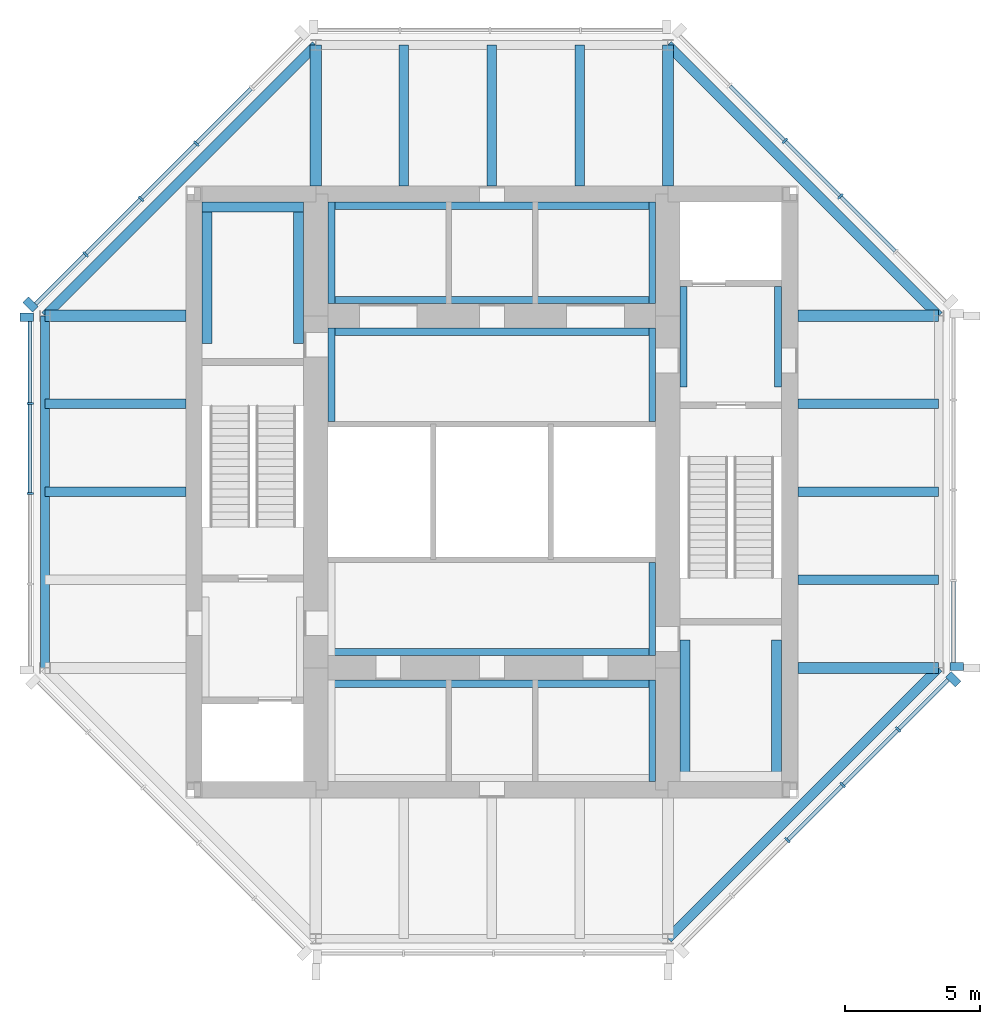
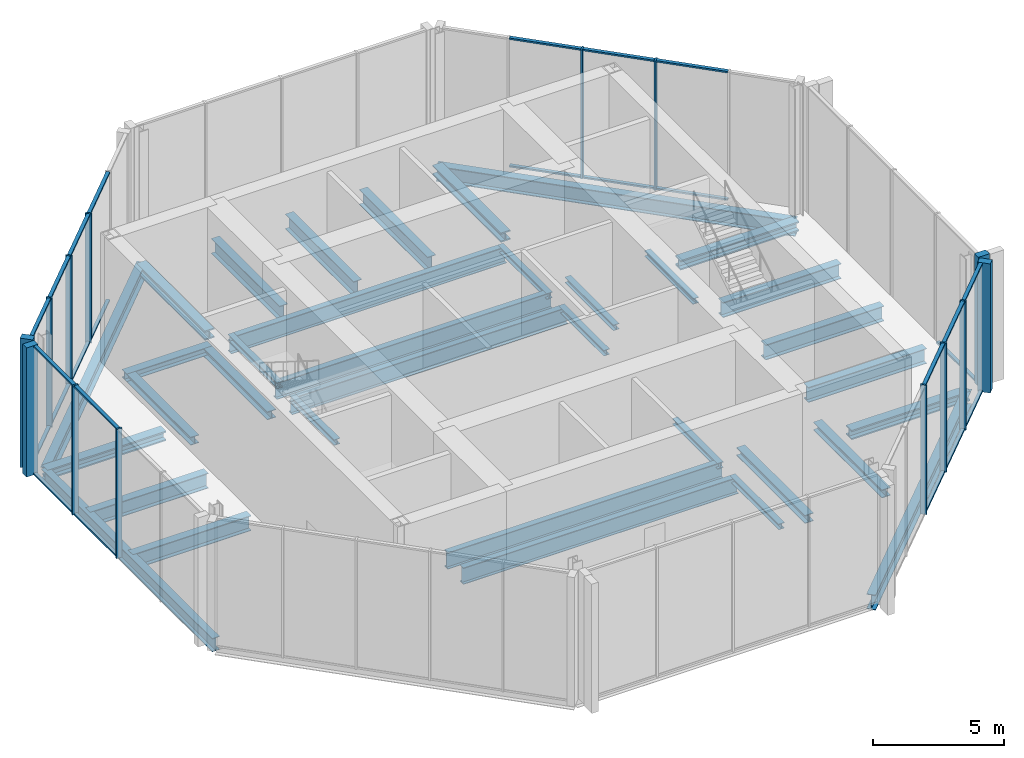
# One storey, part 2 of 6: 39 members, 35 beams, 5 elements without a shape of their own.
"""IFC4 building model written with IfcOpenShell, lengths in metres."""

from ifc_helpers import new_model, si_unit, direction, frame, origin, origin_2d, place, context, subcontext, project, spatial, rectangle, i_section, extrude, material, material_profile, profile_set, type_object, element, aggregate, save


model = new_model("IFC4")

# Units and contexts
model_context = context("Model", 3, precision=1e-05, world=origin(), true_north=direction((0.0, 1.0)))
body_context = subcontext(model_context, "Body", "Model", "MODEL_VIEW")
ifc_project = project(units=[si_unit("LENGTHUNIT", "METRE"), si_unit("AREAUNIT", "SQUARE_METRE"), si_unit("VOLUMEUNIT", "CUBIC_METRE"), si_unit("PLANEANGLEUNIT", "RADIAN"), si_unit("MASSUNIT", "GRAM", prefix="KILO")], contexts=[model_context])

# Site, building, storey
site_placement = place(None, origin())
site = spatial("IfcSite", under=ifc_project, at=site_placement, CompositionType="ELEMENT")
building_placement = place(site_placement, origin())
building = spatial("IfcBuilding", under=site, at=building_placement, Name="Trevanion Tower", CompositionType="ELEMENT")
storey_placement = place(building_placement, frame((0.0, 0.0, 304.199951171875)))
storey = spatial("IfcBuildingStorey", under=building, at=storey_placement, Name="L75", CompositionType="ELEMENT", Elevation=304.199951171875)

# Beams
ifc_material_1 = material(Name="Steel ASTM A992 Grade 50", Category="steel")
ifc_material_profile_1 = material_profile(ifc_material_1, i_section(OverallWidth=0.355712890625, OverallDepth=0.700927734375, WebThickness=0.016845703125, FlangeThickness=0.02734375, at=origin_2d()), Name="W27X161")
ifc_profile_set_1 = profile_set([ifc_material_profile_1], Name="Steel ASTM A992 Grade 50")
beam_type_1 = type_object("IfcBeamType", Name="B15 W27X161", PredefinedType="BEAM", material=ifc_profile_set_1)
for number, where, z_axis, x_axis, name in (
    (1, (11.300048828125, -3.25, -0.54052734375), (1.0, 0.0, 0.0), (0.0, 1.0, 0.0), "B15 L75"),
    (2, (11.300048828125, 0.0, -0.54052734375), (1.0, 0.0, 0.0), (0.0, 1.0, 0.0), "B15 L75"),
    (3, (11.300048828125, 3.25, -0.54052734375), (1.0, 0.0, 0.0), (0.0, 1.0, 0.0), "B15 L75"),
    (4, (3.25, 11.300048828125, -0.54052734375), (0.0, 1.0, 0.0), (-1.0, 0.0, 0.0), "B15 L75"),
    (5, (0.0, 11.300048828125, -0.54052734375), (0.0, 1.0, 0.0), (-1.0, 0.0, 0.0), "B15 L75"),
    (6, (-3.25, 11.300048828125, -0.54052734375), (0.0, 1.0, 0.0), (-1.0, 0.0, 0.0), "B15 L75"),
    (7, (-11.300048828125, 3.25, -0.54052734375), (-1.0, 0.0, 0.0), (0.0, -1.0, 0.0), "B15 L75"),
    (8, (-11.300048828125, 0.0, -0.54052734375), (-1.0, 0.0, 0.0), (0.0, -1.0, 0.0), "B15 L75"),
):
    element("IfcBeam", number, at=place(storey_placement, frame(where, z_axis=z_axis, x_axis=x_axis)), inside=storey, type_object=beam_type_1, Name=name, PredefinedType="BEAM", context=body_context, shape_type="SweptSolid", body=[
        extrude(i_section(OverallWidth=0.355712890625, OverallDepth=0.700927734375, WebThickness=0.016845703125, FlangeThickness=0.02734375, at=origin_2d()), origin(), (0.0, 0.0, 1.0), 5.199951171875),
    ])

# Curtain wall, members
ifc_material_2 = material(Name="Aluminium louvres", Category="aluminium")
curtain_wall_type = type_object("IfcCurtainWallType", Name="CWL curtain wall", PredefinedType="USERDEFINED", material=ifc_material_2)
curtain_wall_1_placement = place(storey_placement, origin())
curtain_wall_1 = element("IfcCurtainWall", 9, at=curtain_wall_1_placement, inside=storey, type_object=curtain_wall_type, Name="CWL L75 1", ObjectType="LOUVRE SCREEN", PredefinedType="USERDEFINED")
ifc_material_3 = material(Name="Aluminium extrusion, anodised bronze", Category="aluminium")
ifc_material_profile_2 = material_profile(ifc_material_3, rectangle(XDim=0.074951171875, YDim=0.25, at=origin_2d()), Name="CWL mullion")
ifc_profile_set_2 = profile_set([ifc_material_profile_2], Name="Aluminium extrusion, anodised bronze")
member_type_1 = type_object("IfcMemberType", Name="CWL mullion", PredefinedType="MULLION", material=ifc_profile_set_2)
member_1_placement = place(storey_placement, frame((12.865966796875, 10.911865234375, -0.18994140625), z_axis=(0.0, 0.0, 1.0), x_axis=(-0.707106781187, 0.707106781187, 0.0)))
member_1 = element("IfcMember", 10, at=member_1_placement, type_object=member_type_1, Name="CWL mullion 3", PredefinedType="MULLION", context=body_context, shape_type="SweptSolid", body=[
    extrude(rectangle(XDim=0.074951171875, YDim=0.25, at=origin_2d()), origin(), (0.0, 0.0, 1.0), 6.0),
])
member_2_placement = place(storey_placement, frame((10.81982421875, 12.9580078125, -0.18994140625), z_axis=(0.0, 0.0, 1.0), x_axis=(-0.707106781187, 0.707106781187, 0.0)))
member_2 = element("IfcMember", 11, at=member_2_placement, type_object=member_type_1, Name="CWL mullion 4", PredefinedType="MULLION", context=body_context, shape_type="SweptSolid", body=[
    extrude(rectangle(XDim=0.074951171875, YDim=0.25, at=origin_2d()), origin(), (0.0, 0.0, 1.0), 6.0),
])

curtain_wall_2_placement = place(storey_placement, origin())
curtain_wall_2 = element("IfcCurtainWall", 12, at=curtain_wall_2_placement, inside=storey, type_object=curtain_wall_type, Name="CWL L75 3", ObjectType="LOUVRE SCREEN", PredefinedType="USERDEFINED")
member_3_placement = place(storey_placement, frame((-10.911865234375, 12.865966796875, -0.18994140625), z_axis=(0.0, 0.0, 1.0), x_axis=(-0.707106781187, -0.707106781187, 0.0)))
member_3 = element("IfcMember", 13, at=member_3_placement, type_object=member_type_1, Name="CWL mullion 3", PredefinedType="MULLION", context=body_context, shape_type="SweptSolid", body=[
    extrude(rectangle(XDim=0.074951171875, YDim=0.25, at=origin_2d()), origin(), (0.0, 0.0, 1.0), 6.0),
])
member_4_placement = place(storey_placement, frame((-12.9580078125, 10.81982421875, -0.18994140625), z_axis=(0.0, 0.0, 1.0), x_axis=(-0.707106781187, -0.707106781187, 0.0)))
member_4 = element("IfcMember", 14, at=member_4_placement, type_object=member_type_1, Name="CWL mullion 4", PredefinedType="MULLION", context=body_context, shape_type="SweptSolid", body=[
    extrude(rectangle(XDim=0.074951171875, YDim=0.25, at=origin_2d()), origin(), (0.0, 0.0, 1.0), 6.0),
])
member_5_placement = place(storey_placement, frame((-15.00390625, 8.77392578125, -0.18994140625), z_axis=(0.0, 0.0, 1.0), x_axis=(-0.707106781187, -0.707106781187, 0.0)))
member_5 = element("IfcMember", 15, at=member_5_placement, type_object=member_type_1, Name="CWL mullion 5", PredefinedType="MULLION", context=body_context, shape_type="SweptSolid", body=[
    extrude(rectangle(XDim=0.074951171875, YDim=0.25, at=origin_2d()), origin(), (0.0, 0.0, 1.0), 6.0),
])

curtain_wall_3_placement = place(storey_placement, origin())
curtain_wall_3 = element("IfcCurtainWall", 16, at=curtain_wall_3_placement, inside=storey, type_object=curtain_wall_type, Name="CWL L75 4", ObjectType="LOUVRE SCREEN", PredefinedType="USERDEFINED")
member_6_placement = place(storey_placement, frame((-17.050048828125, 3.266357421875, -0.18994140625), z_axis=(0.0, 0.0, 1.0), x_axis=(0.0, -1.0, 0.0)))
member_6 = element("IfcMember", 17, at=member_6_placement, type_object=member_type_1, Name="CWL mullion 2", PredefinedType="MULLION", context=body_context, shape_type="SweptSolid", body=[
    extrude(rectangle(XDim=0.074951171875, YDim=0.25, at=origin_2d()), origin(), (0.0, 0.0, 1.0), 6.0),
])
member_7_placement = place(storey_placement, frame((-17.050048828125, -0.06494140625, -0.18994140625), z_axis=(0.0, 0.0, 1.0), x_axis=(0.0, -1.0, 0.0)))
member_7 = element("IfcMember", 18, at=member_7_placement, type_object=member_type_1, Name="CWL mullion 3", PredefinedType="MULLION", context=body_context, shape_type="SweptSolid", body=[
    extrude(rectangle(XDim=0.074951171875, YDim=0.25, at=origin_2d()), origin(), (0.0, 0.0, 1.0), 6.0),
])

curtain_wall_4_placement = place(storey_placement, origin())
curtain_wall_4 = element("IfcCurtainWall", 19, at=curtain_wall_4_placement, inside=storey, type_object=curtain_wall_type, Name="CWL L75 7", ObjectType="LOUVRE SCREEN", PredefinedType="USERDEFINED")
member_8_placement = place(storey_placement, frame((10.911865234375, -12.865966796875, -0.18994140625), z_axis=(0.0, 0.0, 1.0), x_axis=(0.707106781187, 0.707106781187, 0.0)))
member_8 = element("IfcMember", 20, at=member_8_placement, type_object=member_type_1, Name="CWL mullion 3", PredefinedType="MULLION", context=body_context, shape_type="SweptSolid", body=[
    extrude(rectangle(XDim=0.074951171875, YDim=0.25, at=origin_2d()), origin(), (0.0, 0.0, 1.0), 6.0),
])
member_9_placement = place(storey_placement, frame((12.9580078125, -10.81982421875, -0.18994140625), z_axis=(0.0, 0.0, 1.0), x_axis=(0.707106781187, 0.707106781187, 0.0)))
member_9 = element("IfcMember", 21, at=member_9_placement, type_object=member_type_1, Name="CWL mullion 4", PredefinedType="MULLION", context=body_context, shape_type="SweptSolid", body=[
    extrude(rectangle(XDim=0.074951171875, YDim=0.25, at=origin_2d()), origin(), (0.0, 0.0, 1.0), 6.0),
])
member_10_placement = place(storey_placement, frame((15.00390625, -8.77392578125, -0.18994140625), z_axis=(0.0, 0.0, 1.0), x_axis=(0.707106781187, 0.707106781187, 0.0)))
member_10 = element("IfcMember", 22, at=member_10_placement, type_object=member_type_1, Name="CWL mullion 5", PredefinedType="MULLION", context=body_context, shape_type="SweptSolid", body=[
    extrude(rectangle(XDim=0.074951171875, YDim=0.25, at=origin_2d()), origin(), (0.0, 0.0, 1.0), 6.0),
])

# Curtain wall, member
curtain_wall_5_placement = place(storey_placement, origin())
curtain_wall_5 = element("IfcCurtainWall", 23, at=curtain_wall_5_placement, inside=storey, type_object=curtain_wall_type, Name="CWL L75 0", ObjectType="LOUVRE SCREEN", PredefinedType="USERDEFINED")
ifc_material_4 = material(Name="Aluminium extrusion, anodised bronze", Category="aluminium")
ifc_material_profile_3 = material_profile(ifc_material_4, rectangle(XDim=0.300048828125, YDim=0.5, at=origin_2d()), Name="CWL pier mullion")
ifc_profile_set_3 = profile_set([ifc_material_profile_3], Name="Aluminium extrusion, anodised bronze")
member_type_2 = type_object("IfcMemberType", Name="CWL pier mullion", PredefinedType="MULLION", material=ifc_profile_set_3)
member_11_placement = place(storey_placement, frame((17.175048828125, -6.44775390625, -0.18994140625), z_axis=(0.0, 0.0, 1.0), x_axis=(0.0, 1.0, 0.0)))
member_11 = element("IfcMember", 24, at=member_11_placement, type_object=member_type_2, Name="CWL pier mullion 1", PredefinedType="MULLION", context=body_context, shape_type="SweptSolid", body=[
    extrude(rectangle(XDim=0.300048828125, YDim=0.5, at=origin_2d()), origin(), (0.0, 0.0, 1.0), 6.0),
])

# Member
member_12_placement = place(storey_placement, frame((-17.0322265625, 6.92236328125, -0.18994140625), z_axis=(0.0, 0.0, 1.0), x_axis=(-0.707106781187, -0.707106781187, 0.0)))
member_12 = element("IfcMember", 25, at=member_12_placement, type_object=member_type_2, Name="CWL pier mullion 6", PredefinedType="MULLION", context=body_context, shape_type="SweptSolid", body=[
    extrude(rectangle(XDim=0.300048828125, YDim=0.5, at=origin_2d()), origin(), (0.0, 0.0, 1.0), 6.0),
])

member_13_placement = place(storey_placement, frame((-17.175048828125, 6.44775390625, -0.18994140625), z_axis=(0.0, 0.0, 1.0), x_axis=(0.0, -1.0, 0.0)))
member_13 = element("IfcMember", 26, at=member_13_placement, type_object=member_type_2, Name="CWL pier mullion 1", PredefinedType="MULLION", context=body_context, shape_type="SweptSolid", body=[
    extrude(rectangle(XDim=0.300048828125, YDim=0.5, at=origin_2d()), origin(), (0.0, 0.0, 1.0), 6.0),
])

member_14_placement = place(storey_placement, frame((17.0322265625, -6.92236328125, -0.18994140625), z_axis=(0.0, 0.0, 1.0), x_axis=(0.707106781187, 0.707106781187, 0.0)))
member_14 = element("IfcMember", 27, at=member_14_placement, type_object=member_type_2, Name="CWL pier mullion 6", PredefinedType="MULLION", context=body_context, shape_type="SweptSolid", body=[
    extrude(rectangle(XDim=0.300048828125, YDim=0.5, at=origin_2d()), origin(), (0.0, 0.0, 1.0), 6.0),
])

ifc_material_5 = material(Name="Aluminium extrusion, anodised bronze", Category="aluminium")
ifc_material_profile_4 = material_profile(ifc_material_5, rectangle(XDim=0.14990234375, YDim=0.074951171875, at=origin_2d()), Name="CWL transom")
ifc_profile_set_4 = profile_set([ifc_material_profile_4], Name="Aluminium extrusion, anodised bronze")
member_type_3 = type_object("IfcMemberType", Name="CWL transom", PredefinedType="USERDEFINED", material=ifc_profile_set_4)
member_15_placement = place(storey_placement, frame((17.050048828125, -6.2978515625, -0.15234375), z_axis=(0.0, 1.0, 0.0), x_axis=(-1.0, 0.0, 0.0)))
member_15 = element("IfcMember", 28, at=member_15_placement, type_object=member_type_3, Name="CWL transom 1.1", ObjectType="TRANSOM", PredefinedType="USERDEFINED", context=body_context, shape_type="SweptSolid", body=[
    extrude(rectangle(XDim=0.14990234375, YDim=0.074951171875, at=origin_2d()), origin(), (0.0, 0.0, 1.0), 2.993896484375),
])

aggregate(curtain_wall_5, [member_11, member_15])

member_16_placement = place(storey_placement, frame((14.885498046875, 8.892333984375, -0.15234375), z_axis=(-0.707106781187, 0.707106781187, 0.0), x_axis=(-0.707106781187, -0.707106781187, 0.0)))
member_16 = element("IfcMember", 29, at=member_16_placement, type_object=member_type_3, Name="CWL transom 2.1", ObjectType="TRANSOM", PredefinedType="USERDEFINED", context=body_context, shape_type="SweptSolid", body=[
    extrude(rectangle(XDim=0.14990234375, YDim=0.074951171875, at=origin_2d()), origin(), (0.0, 0.0, 1.0), 2.818359375),
])

member_17_placement = place(storey_placement, frame((14.885498046875, 8.892333984375, 5.7724609375), z_axis=(-0.707106781187, 0.707106781187, 0.0), x_axis=(-0.707106781187, -0.707106781187, 0.0)))
member_17 = element("IfcMember", 30, at=member_17_placement, type_object=member_type_3, Name="CWL transom 2.2", ObjectType="TRANSOM", PredefinedType="USERDEFINED", context=body_context, shape_type="SweptSolid", body=[
    extrude(rectangle(XDim=0.14990234375, YDim=0.074951171875, at=origin_2d()), origin(), (0.0, 0.0, 1.0), 2.818359375),
])

member_18_placement = place(storey_placement, frame((12.839599609375, 10.9384765625, -0.15234375), z_axis=(-0.707150088905, 0.707063470815, 0.0), x_axis=(-0.707063470815, -0.707150088905, 0.0)))
member_18 = element("IfcMember", 31, at=member_18_placement, type_object=member_type_3, Name="CWL transom 3.1", ObjectType="TRANSOM", PredefinedType="USERDEFINED", context=body_context, shape_type="SweptSolid", body=[
    extrude(rectangle(XDim=0.14990234375, YDim=0.074951171875, at=origin_2d()), origin(), (0.0, 0.0, 1.0), 2.818603515625),
])

member_19_placement = place(storey_placement, frame((12.839599609375, 10.9384765625, 5.7724609375), z_axis=(-0.707150088905, 0.707063470815, 0.0), x_axis=(-0.707063470815, -0.707150088905, 0.0)))
member_19 = element("IfcMember", 32, at=member_19_placement, type_object=member_type_3, Name="CWL transom 3.2", ObjectType="TRANSOM", PredefinedType="USERDEFINED", context=body_context, shape_type="SweptSolid", body=[
    extrude(rectangle(XDim=0.14990234375, YDim=0.074951171875, at=origin_2d()), origin(), (0.0, 0.0, 1.0), 2.818603515625),
])

member_20_placement = place(storey_placement, frame((10.79345703125, 12.984375, -0.15234375), z_axis=(-0.707150088905, 0.707063470815, 0.0), x_axis=(-0.707063470815, -0.707150088905, 0.0)))
member_20 = element("IfcMember", 33, at=member_20_placement, type_object=member_type_3, Name="CWL transom 4.1", ObjectType="TRANSOM", PredefinedType="USERDEFINED", context=body_context, shape_type="SweptSolid", body=[
    extrude(rectangle(XDim=0.14990234375, YDim=0.074951171875, at=origin_2d()), origin(), (0.0, 0.0, 1.0), 2.818603515625),
])

member_21_placement = place(storey_placement, frame((10.79345703125, 12.984375, 5.7724609375), z_axis=(-0.707150088905, 0.707063470815, 0.0), x_axis=(-0.707063470815, -0.707150088905, 0.0)))
member_21 = element("IfcMember", 34, at=member_21_placement, type_object=member_type_3, Name="CWL transom 4.2", ObjectType="TRANSOM", PredefinedType="USERDEFINED", context=body_context, shape_type="SweptSolid", body=[
    extrude(rectangle(XDim=0.14990234375, YDim=0.074951171875, at=origin_2d()), origin(), (0.0, 0.0, 1.0), 2.818603515625),
])

aggregate(curtain_wall_1, [member_1, member_2, member_16, member_17, member_18, member_19, member_20, member_21])

member_22_placement = place(storey_placement, frame((-8.892333984375, 14.885498046875, -0.15234375), z_axis=(-0.707106781187, -0.707106781187, 0.0), x_axis=(0.707106781187, -0.707106781187, 0.0)))
member_22 = element("IfcMember", 35, at=member_22_placement, type_object=member_type_3, Name="CWL transom 2.1", ObjectType="TRANSOM", PredefinedType="USERDEFINED", context=body_context, shape_type="SweptSolid", body=[
    extrude(rectangle(XDim=0.14990234375, YDim=0.074951171875, at=origin_2d()), origin(), (0.0, 0.0, 1.0), 2.818359375),
])

member_23_placement = place(storey_placement, frame((-8.892333984375, 14.885498046875, 5.7724609375), z_axis=(-0.707106781187, -0.707106781187, 0.0), x_axis=(0.707106781187, -0.707106781187, 0.0)))
member_23 = element("IfcMember", 36, at=member_23_placement, type_object=member_type_3, Name="CWL transom 2.2", ObjectType="TRANSOM", PredefinedType="USERDEFINED", context=body_context, shape_type="SweptSolid", body=[
    extrude(rectangle(XDim=0.14990234375, YDim=0.074951171875, at=origin_2d()), origin(), (0.0, 0.0, 1.0), 2.818359375),
])

member_24_placement = place(storey_placement, frame((-10.9384765625, 12.839599609375, -0.15234375), z_axis=(-0.707063470815, -0.707150088905, 0.0), x_axis=(0.707150088905, -0.707063470815, 0.0)))
member_24 = element("IfcMember", 37, at=member_24_placement, type_object=member_type_3, Name="CWL transom 3.1", ObjectType="TRANSOM", PredefinedType="USERDEFINED", context=body_context, shape_type="SweptSolid", body=[
    extrude(rectangle(XDim=0.14990234375, YDim=0.074951171875, at=origin_2d()), origin(), (0.0, 0.0, 1.0), 2.818603515625),
])

member_25_placement = place(storey_placement, frame((-10.9384765625, 12.839599609375, 5.7724609375), z_axis=(-0.707063470815, -0.707150088905, 0.0), x_axis=(0.707150088905, -0.707063470815, 0.0)))
member_25 = element("IfcMember", 38, at=member_25_placement, type_object=member_type_3, Name="CWL transom 3.2", ObjectType="TRANSOM", PredefinedType="USERDEFINED", context=body_context, shape_type="SweptSolid", body=[
    extrude(rectangle(XDim=0.14990234375, YDim=0.074951171875, at=origin_2d()), origin(), (0.0, 0.0, 1.0), 2.818603515625),
])

member_26_placement = place(storey_placement, frame((-12.984375, 10.79345703125, -0.15234375), z_axis=(-0.707063470815, -0.707150088905, 0.0), x_axis=(0.707150088905, -0.707063470815, 0.0)))
member_26 = element("IfcMember", 39, at=member_26_placement, type_object=member_type_3, Name="CWL transom 4.1", ObjectType="TRANSOM", PredefinedType="USERDEFINED", context=body_context, shape_type="SweptSolid", body=[
    extrude(rectangle(XDim=0.14990234375, YDim=0.074951171875, at=origin_2d()), origin(), (0.0, 0.0, 1.0), 2.818603515625),
])

member_27_placement = place(storey_placement, frame((-12.984375, 10.79345703125, 5.7724609375), z_axis=(-0.707063470815, -0.707150088905, 0.0), x_axis=(0.707150088905, -0.707063470815, 0.0)))
member_27 = element("IfcMember", 40, at=member_27_placement, type_object=member_type_3, Name="CWL transom 4.2", ObjectType="TRANSOM", PredefinedType="USERDEFINED", context=body_context, shape_type="SweptSolid", body=[
    extrude(rectangle(XDim=0.14990234375, YDim=0.074951171875, at=origin_2d()), origin(), (0.0, 0.0, 1.0), 2.818603515625),
])

member_28_placement = place(storey_placement, frame((-15.030517578125, 8.747314453125, -0.15234375), z_axis=(-0.707106781187, -0.707106781187, 0.0), x_axis=(0.707106781187, -0.707106781187, 0.0)))
member_28 = element("IfcMember", 41, at=member_28_placement, type_object=member_type_3, Name="CWL transom 5.1", ObjectType="TRANSOM", PredefinedType="USERDEFINED", context=body_context, shape_type="SweptSolid", body=[
    extrude(rectangle(XDim=0.14990234375, YDim=0.074951171875, at=origin_2d()), origin(), (0.0, 0.0, 1.0), 2.555908203125),
])

member_29_placement = place(storey_placement, frame((-15.030517578125, 8.747314453125, 5.7724609375), z_axis=(-0.707106781187, -0.707106781187, 0.0), x_axis=(0.707106781187, -0.707106781187, 0.0)))
member_29 = element("IfcMember", 42, at=member_29_placement, type_object=member_type_3, Name="CWL transom 5.2", ObjectType="TRANSOM", PredefinedType="USERDEFINED", context=body_context, shape_type="SweptSolid", body=[
    extrude(rectangle(XDim=0.14990234375, YDim=0.074951171875, at=origin_2d()), origin(), (0.0, 0.0, 1.0), 2.555908203125),
])

aggregate(curtain_wall_2, [member_3, member_4, member_5, member_12, member_22, member_23, member_24, member_25, member_26, member_27, member_28, member_29])

member_30_placement = place(storey_placement, frame((-17.050048828125, 6.2978515625, -0.15234375), z_axis=(0.0, -1.0, 0.0), x_axis=(1.0, 0.0, 0.0)))
member_30 = element("IfcMember", 43, at=member_30_placement, type_object=member_type_3, Name="CWL transom 1.1", ObjectType="TRANSOM", PredefinedType="USERDEFINED", context=body_context, shape_type="SweptSolid", body=[
    extrude(rectangle(XDim=0.14990234375, YDim=0.074951171875, at=origin_2d()), origin(), (0.0, 0.0, 1.0), 2.993896484375),
])

member_31_placement = place(storey_placement, frame((-17.050048828125, 6.2978515625, 5.7724609375), z_axis=(0.0, -1.0, 0.0), x_axis=(1.0, 0.0, 0.0)))
member_31 = element("IfcMember", 44, at=member_31_placement, type_object=member_type_3, Name="CWL transom 1.2", ObjectType="TRANSOM", PredefinedType="USERDEFINED", context=body_context, shape_type="SweptSolid", body=[
    extrude(rectangle(XDim=0.14990234375, YDim=0.074951171875, at=origin_2d()), origin(), (0.0, 0.0, 1.0), 2.993896484375),
])

member_32_placement = place(storey_placement, frame((-17.050048828125, 3.22900390625, -0.15234375), z_axis=(0.0, -1.0, 0.0), x_axis=(1.0, 0.0, 0.0)))
member_32 = element("IfcMember", 45, at=member_32_placement, type_object=member_type_3, Name="CWL transom 2.1", ObjectType="TRANSOM", PredefinedType="USERDEFINED", context=body_context, shape_type="SweptSolid", body=[
    extrude(rectangle(XDim=0.14990234375, YDim=0.074951171875, at=origin_2d()), origin(), (0.0, 0.0, 1.0), 3.256591796875),
])

member_33_placement = place(storey_placement, frame((-17.050048828125, 3.22900390625, 5.7724609375), z_axis=(0.0, -1.0, 0.0), x_axis=(1.0, 0.0, 0.0)))
member_33 = element("IfcMember", 46, at=member_33_placement, type_object=member_type_3, Name="CWL transom 2.2", ObjectType="TRANSOM", PredefinedType="USERDEFINED", context=body_context, shape_type="SweptSolid", body=[
    extrude(rectangle(XDim=0.14990234375, YDim=0.074951171875, at=origin_2d()), origin(), (0.0, 0.0, 1.0), 3.256591796875),
])

aggregate(curtain_wall_3, [member_13, member_6, member_7, member_30, member_31, member_32, member_33])

member_34_placement = place(storey_placement, frame((10.9384765625, -12.839599609375, -0.15234375), z_axis=(0.707063470815, 0.707150088905, 0.0), x_axis=(-0.707150088905, 0.707063470815, 0.0)))
member_34 = element("IfcMember", 47, at=member_34_placement, type_object=member_type_3, Name="CWL transom 3.1", ObjectType="TRANSOM", PredefinedType="USERDEFINED", context=body_context, shape_type="SweptSolid", body=[
    extrude(rectangle(XDim=0.14990234375, YDim=0.074951171875, at=origin_2d()), origin(), (0.0, 0.0, 1.0), 2.818603515625),
])

member_35_placement = place(storey_placement, frame((10.9384765625, -12.839599609375, 5.7724609375), z_axis=(0.707063470815, 0.707150088905, 0.0), x_axis=(-0.707150088905, 0.707063470815, 0.0)))
member_35 = element("IfcMember", 48, at=member_35_placement, type_object=member_type_3, Name="CWL transom 3.2", ObjectType="TRANSOM", PredefinedType="USERDEFINED", context=body_context, shape_type="SweptSolid", body=[
    extrude(rectangle(XDim=0.14990234375, YDim=0.074951171875, at=origin_2d()), origin(), (0.0, 0.0, 1.0), 2.818603515625),
])

member_36_placement = place(storey_placement, frame((12.984375, -10.79345703125, -0.15234375), z_axis=(0.707063470815, 0.707150088905, 0.0), x_axis=(-0.707150088905, 0.707063470815, 0.0)))
member_36 = element("IfcMember", 49, at=member_36_placement, type_object=member_type_3, Name="CWL transom 4.1", ObjectType="TRANSOM", PredefinedType="USERDEFINED", context=body_context, shape_type="SweptSolid", body=[
    extrude(rectangle(XDim=0.14990234375, YDim=0.074951171875, at=origin_2d()), origin(), (0.0, 0.0, 1.0), 2.818603515625),
])

member_37_placement = place(storey_placement, frame((12.984375, -10.79345703125, 5.7724609375), z_axis=(0.707063470815, 0.707150088905, 0.0), x_axis=(-0.707150088905, 0.707063470815, 0.0)))
member_37 = element("IfcMember", 50, at=member_37_placement, type_object=member_type_3, Name="CWL transom 4.2", ObjectType="TRANSOM", PredefinedType="USERDEFINED", context=body_context, shape_type="SweptSolid", body=[
    extrude(rectangle(XDim=0.14990234375, YDim=0.074951171875, at=origin_2d()), origin(), (0.0, 0.0, 1.0), 2.818603515625),
])

member_38_placement = place(storey_placement, frame((15.030517578125, -8.747314453125, -0.15234375), z_axis=(0.707106781187, 0.707106781187, 0.0), x_axis=(-0.707106781187, 0.707106781187, 0.0)))
member_38 = element("IfcMember", 51, at=member_38_placement, type_object=member_type_3, Name="CWL transom 5.1", ObjectType="TRANSOM", PredefinedType="USERDEFINED", context=body_context, shape_type="SweptSolid", body=[
    extrude(rectangle(XDim=0.14990234375, YDim=0.074951171875, at=origin_2d()), origin(), (0.0, 0.0, 1.0), 2.555908203125),
])

member_39_placement = place(storey_placement, frame((15.030517578125, -8.747314453125, 5.7724609375), z_axis=(0.707106781187, 0.707106781187, 0.0), x_axis=(-0.707106781187, 0.707106781187, 0.0)))
member_39 = element("IfcMember", 52, at=member_39_placement, type_object=member_type_3, Name="CWL transom 5.2", ObjectType="TRANSOM", PredefinedType="USERDEFINED", context=body_context, shape_type="SweptSolid", body=[
    extrude(rectangle(XDim=0.14990234375, YDim=0.074951171875, at=origin_2d()), origin(), (0.0, 0.0, 1.0), 2.555908203125),
])

aggregate(curtain_wall_4, [member_8, member_9, member_10, member_14, member_34, member_35, member_36, member_37, member_38, member_39])

# Beams
ifc_material_6 = material(Name="Steel ASTM A992 Grade 50", Category="steel")
ifc_material_profile_5 = material_profile(ifc_material_6, i_section(OverallWidth=0.41650390625, OverallDepth=0.444580078125, WebThickness=0.0390625, FlangeThickness=0.062744140625, at=origin_2d()), Name="W14X342")
ifc_profile_set_5 = profile_set([ifc_material_profile_5], Name="Steel ASTM A992 Grade 50")
beam_type_2 = type_object("IfcBeamType", Name="G8 W14X342", PredefinedType="BEAM", material=ifc_profile_set_5)
for number, where, z_axis, x_axis, name in (
    (53, (11.300048828125, -6.5, -0.412109375), (1.0, 0.0, 0.0), (0.0, 1.0, 0.0), "G8 L75"),
    (54, (11.300048828125, 6.5, -0.412109375), (1.0, 0.0, 0.0), (0.0, 1.0, 0.0), "G8 L75"),
    (55, (6.5, 11.300048828125, -0.412109375), (0.0, 1.0, 0.0), (-1.0, 0.0, 0.0), "G8 L75"),
    (56, (-6.5, 11.300048828125, -0.412109375), (0.0, 1.0, 0.0), (-1.0, 0.0, 0.0), "G8 L75"),
    (57, (-11.300048828125, 6.5, -0.412109375), (-1.0, 0.0, 0.0), (0.0, -1.0, 0.0), "G8 L75"),
):
    element("IfcBeam", number, at=place(storey_placement, frame(where, z_axis=z_axis, x_axis=x_axis)), inside=storey, type_object=beam_type_2, Name=name, PredefinedType="BEAM", context=body_context, shape_type="SweptSolid", body=[
        extrude(i_section(OverallWidth=0.41650390625, OverallDepth=0.444580078125, WebThickness=0.0390625, FlangeThickness=0.062744140625, at=origin_2d()), origin(), (0.0, 0.0, 1.0), 5.199951171875),
    ])
ifc_material_7 = material(Name="Steel ASTM A992 Grade 50", Category="steel")
ifc_material_profile_6 = material_profile(ifc_material_7, i_section(OverallWidth=0.256591796875, OverallDepth=0.26416015625, WebThickness=0.011962890625, FlangeThickness=0.01953125, at=origin_2d()), Name="W10X68")
ifc_profile_set_6 = profile_set([ifc_material_profile_6], Name="Steel ASTM A992 Grade 50")
beam_type_3 = type_object("IfcBeamType", Name="LB1 W10X68", PredefinedType="BEAM", material=ifc_profile_set_6)
for number, where, z_axis, x_axis, name in (
    (58, (-5.921630859375, 2.60009765625, -0.33203125), (0.0, 1.0, 0.0), (-1.0, 0.0, 0.0), "LB1 L75"),
    (59, (5.921630859375, 2.60009765625, -0.33203125), (0.0, 1.0, 0.0), (-1.0, 0.0, 0.0), "LB1 L75"),
    (60, (5.921630859375, -6.050048828125, -0.33203125), (0.0, 1.0, 0.0), (-1.0, 0.0, 0.0), "LB1 L75"),
):
    element("IfcBeam", number, at=place(storey_placement, frame(where, z_axis=z_axis, x_axis=x_axis)), inside=storey, type_object=beam_type_3, Name=name, PredefinedType="BEAM", context=body_context, shape_type="SweptSolid", body=[
        extrude(i_section(OverallWidth=0.256591796875, OverallDepth=0.26416015625, WebThickness=0.011962890625, FlangeThickness=0.01953125, at=origin_2d()), origin(), (0.0, 0.0, 1.0), 3.449951171875),
    ])
for number, where, z_axis, x_axis, name in (
    (61, (7.078369140625, 3.875, -0.33203125), (0.0, 1.0, 0.0), (-1.0, 0.0, 0.0), "LB1 L75"),
    (62, (10.57177734375, 3.875, -0.33203125), (0.0, 1.0, 0.0), (-1.0, 0.0, 0.0), "LB1 L75"),
):
    element("IfcBeam", number, at=place(storey_placement, frame(where, z_axis=z_axis, x_axis=x_axis)), inside=storey, type_object=beam_type_3, Name=name, PredefinedType="BEAM", context=body_context, shape_type="SweptSolid", body=[
        extrude(i_section(OverallWidth=0.256591796875, OverallDepth=0.26416015625, WebThickness=0.011962890625, FlangeThickness=0.01953125, at=origin_2d()), origin(), (0.0, 0.0, 1.0), 3.699951171875),
    ])
for number, where, z_axis, x_axis, name in (
    (63, (-5.921630859375, 6.949951171875, -0.33203125), (0.0, 1.0, 0.0), (-1.0, 0.0, 0.0), "LB1 L75"),
    (64, (5.921630859375, 6.949951171875, -0.33203125), (0.0, 1.0, 0.0), (-1.0, 0.0, 0.0), "LB1 L75"),
    (65, (5.921630859375, -10.699951171875, -0.33203125), (0.0, 1.0, 0.0), (-1.0, 0.0, 0.0), "LB1 L75"),
):
    element("IfcBeam", number, at=place(storey_placement, frame(where, z_axis=z_axis, x_axis=x_axis)), inside=storey, type_object=beam_type_3, Name=name, PredefinedType="BEAM", context=body_context, shape_type="SweptSolid", body=[
        extrude(i_section(OverallWidth=0.256591796875, OverallDepth=0.26416015625, WebThickness=0.011962890625, FlangeThickness=0.01953125, at=origin_2d()), origin(), (0.0, 0.0, 1.0), 3.75),
    ])
ifc_material_8 = material(Name="Steel ASTM A992 Grade 50", Category="steel")
ifc_material_profile_7 = material_profile(ifc_material_8, i_section(OverallWidth=0.373291015625, OverallDepth=0.373291015625, WebThickness=0.016357421875, FlangeThickness=0.026123046875, at=origin_2d()), Name="W14X132")
ifc_profile_set_7 = profile_set([ifc_material_profile_7], Name="Steel ASTM A992 Grade 50")
beam_type_4 = type_object("IfcBeamType", Name="LB2 W14X132", PredefinedType="BEAM", material=ifc_profile_set_7)
for number, where, z_axis, x_axis, name in (
    (66, (7.13671875, -10.699951171875, -0.38671875), (0.0, 1.0, 0.0), (-1.0, 0.0, 0.0), "LB2 L75"),
    (67, (10.51318359375, -10.699951171875, -0.38671875), (0.0, 1.0, 0.0), (-1.0, 0.0, 0.0), "LB2 L75"),
    (68, (-10.51318359375, 5.47509765625, -0.38671875), (0.0, 1.0, 0.0), (-1.0, 0.0, 0.0), "LB2 L75"),
    (69, (-7.13671875, 5.47509765625, -0.38671875), (0.0, 1.0, 0.0), (-1.0, 0.0, 0.0), "LB2 L75"),
):
    element("IfcBeam", number, at=place(storey_placement, frame(where, z_axis=z_axis, x_axis=x_axis)), inside=storey, type_object=beam_type_4, Name=name, PredefinedType="BEAM", context=body_context, shape_type="SweptSolid", body=[
        extrude(i_section(OverallWidth=0.373291015625, OverallDepth=0.373291015625, WebThickness=0.016357421875, FlangeThickness=0.026123046875, at=origin_2d()), origin(), (0.0, 0.0, 1.0), 5.224853515625),
    ])
beam_1_placement = place(storey_placement, frame((-10.699951171875, 10.51318359375, -0.38671875), z_axis=(1.0, 0.0, 0.0), x_axis=(0.0, 1.0, 0.0)))
element("IfcBeam", 70, at=beam_1_placement, inside=storey, type_object=beam_type_4, Name="LB2 L75", PredefinedType="BEAM", context=body_context, shape_type="SweptSolid", body=[
    extrude(i_section(OverallWidth=0.373291015625, OverallDepth=0.373291015625, WebThickness=0.016357421875, FlangeThickness=0.026123046875, at=origin_2d()), origin(), (0.0, 0.0, 1.0), 3.75),
])
ifc_material_9 = material(Name="Steel ASTM A992 Grade 50", Category="steel")
ifc_material_profile_8 = material_profile(ifc_material_9, i_section(OverallWidth=0.2666015625, OverallDepth=0.76953125, WebThickness=0.015625, FlangeThickness=0.025390625, at=origin_2d()), Name="W30X132")
ifc_profile_set_8 = profile_set([ifc_material_profile_8], Name="Steel ASTM A992 Grade 50")
beam_type_5 = type_object("IfcBeamType", Name="LB3 W30X132", PredefinedType="BEAM", material=ifc_profile_set_8)
for number, where, z_axis, x_axis, name in (
    (71, (-6.050048828125, 5.91650390625, -0.584716796875), (1.0, 0.0, 0.0), (0.0, 1.0, 0.0), "LB3 L75"),
    (72, (-6.050048828125, -5.91650390625, -0.584716796875), (1.0, 0.0, 0.0), (0.0, 1.0, 0.0), "LB3 L75"),
    (73, (-6.050048828125, 7.08349609375, -0.584716796875), (1.0, 0.0, 0.0), (0.0, 1.0, 0.0), "LB3 L75"),
    (74, (-6.050048828125, 10.566650390625, -0.584716796875), (1.0, 0.0, 0.0), (0.0, 1.0, 0.0), "LB3 L75"),
    (75, (-6.050048828125, -7.08349609375, -0.584716796875), (1.0, 0.0, 0.0), (0.0, 1.0, 0.0), "LB3 L75"),
):
    element("IfcBeam", number, at=place(storey_placement, frame(where, z_axis=z_axis, x_axis=x_axis)), inside=storey, type_object=beam_type_5, Name=name, PredefinedType="BEAM", context=body_context, shape_type="SweptSolid", body=[
        extrude(i_section(OverallWidth=0.2666015625, OverallDepth=0.76953125, WebThickness=0.015625, FlangeThickness=0.025390625, at=origin_2d()), origin(), (0.0, 0.0, 1.0), 12.10009765625),
    ])
ifc_material_10 = material(Name="Steel ASTM A992 Grade 50", Category="steel")
ifc_material_profile_9 = material_profile(ifc_material_10, i_section(OverallWidth=0.32763671875, OverallDepth=0.622314453125, WebThickness=0.015380859375, FlangeThickness=0.0244140625, at=origin_2d()), Name="W24X131")
ifc_profile_set_9 = profile_set([ifc_material_profile_9], Name="Steel ASTM A992 Grade 50")
beam_type_6 = type_object("IfcBeamType", Name="SB12 W24X131", PredefinedType="SPANDREL", material=ifc_profile_set_9)
beam_2_placement = place(storey_placement, frame((-16.5, 6.5, -0.501220703125), z_axis=(0.0, -1.0, 0.0), x_axis=(1.0, 0.0, 0.0)))
element("IfcBeam", 76, at=beam_2_placement, inside=storey, type_object=beam_type_6, Name="SB12 L75", PredefinedType="SPANDREL", context=body_context, shape_type="SweptSolid", body=[
    extrude(i_section(OverallWidth=0.32763671875, OverallDepth=0.622314453125, WebThickness=0.015380859375, FlangeThickness=0.0244140625, at=origin_2d()), origin(), (0.0, 0.0, 1.0), 13.0),
])
ifc_material_11 = material(Name="Steel ASTM A992 Grade 50", Category="steel")
ifc_material_profile_10 = material_profile(ifc_material_11, i_section(OverallWidth=0.358154296875, OverallDepth=0.7060546875, WebThickness=0.018310546875, FlangeThickness=0.0302734375, at=origin_2d()), Name="W27X178")
ifc_profile_set_10 = profile_set([ifc_material_profile_10], Name="Steel ASTM A992 Grade 50")
beam_type_7 = type_object("IfcBeamType", Name="SB13 W27X178", PredefinedType="SPANDREL", material=ifc_profile_set_10)
for number, where, z_axis, x_axis, name in (
    (77, (16.5, 6.5, -0.54296875), (-0.707106781187, 0.707106781187, 0.0), (-0.707106781187, -0.707106781187, 0.0), "SB13 L75"),
    (78, (-6.5, 16.5, -0.54296875), (-0.707106781187, -0.707106781187, 0.0), (0.707106781187, -0.707106781187, 0.0), "SB13 L75"),
    (79, (6.5, -16.5, -0.54296875), (0.707106781187, 0.707106781187, 0.0), (-0.707106781187, 0.707106781187, 0.0), "SB13 L75"),
):
    element("IfcBeam", number, at=place(storey_placement, frame(where, z_axis=z_axis, x_axis=x_axis)), inside=storey, type_object=beam_type_7, Name=name, PredefinedType="SPANDREL", context=body_context, shape_type="SweptSolid", body=[
        extrude(i_section(OverallWidth=0.358154296875, OverallDepth=0.7060546875, WebThickness=0.018310546875, FlangeThickness=0.0302734375, at=origin_2d()), origin(), (0.0, 0.0, 1.0), 14.14208984375),
    ])

save(model, "model.ifc")
